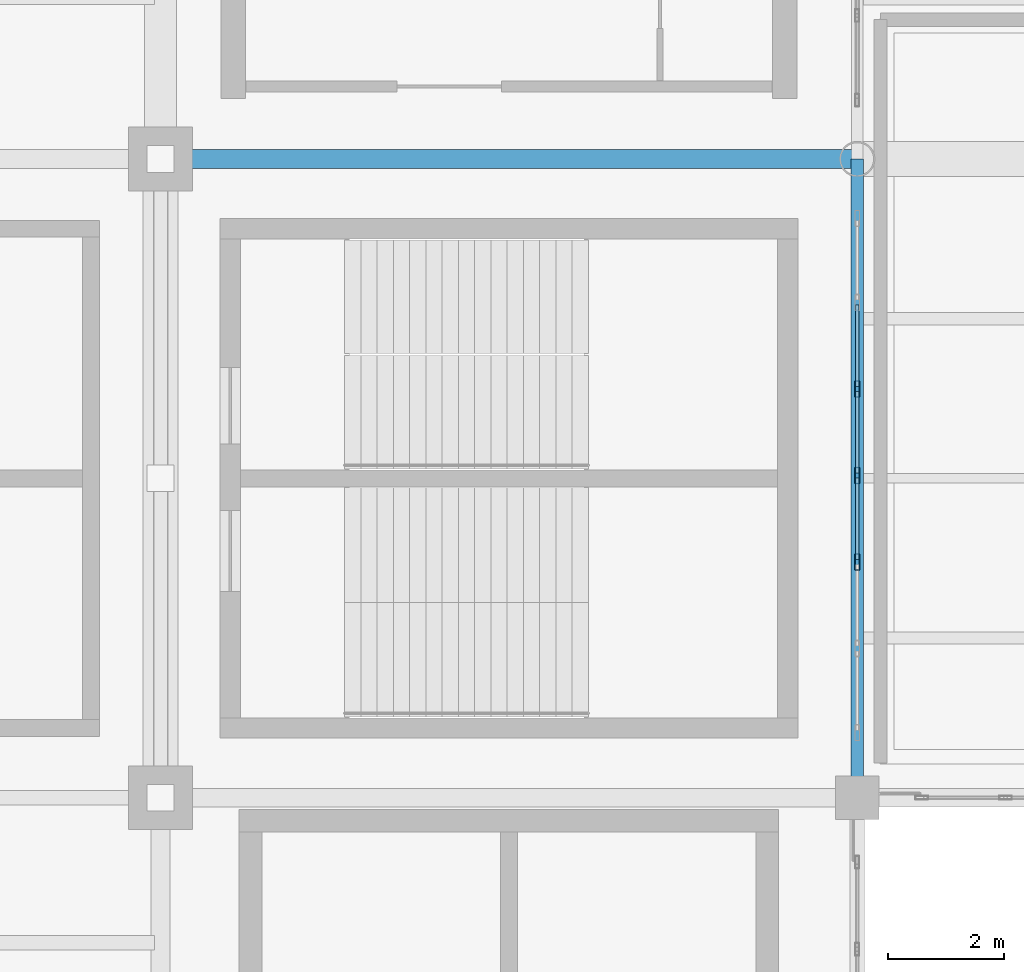
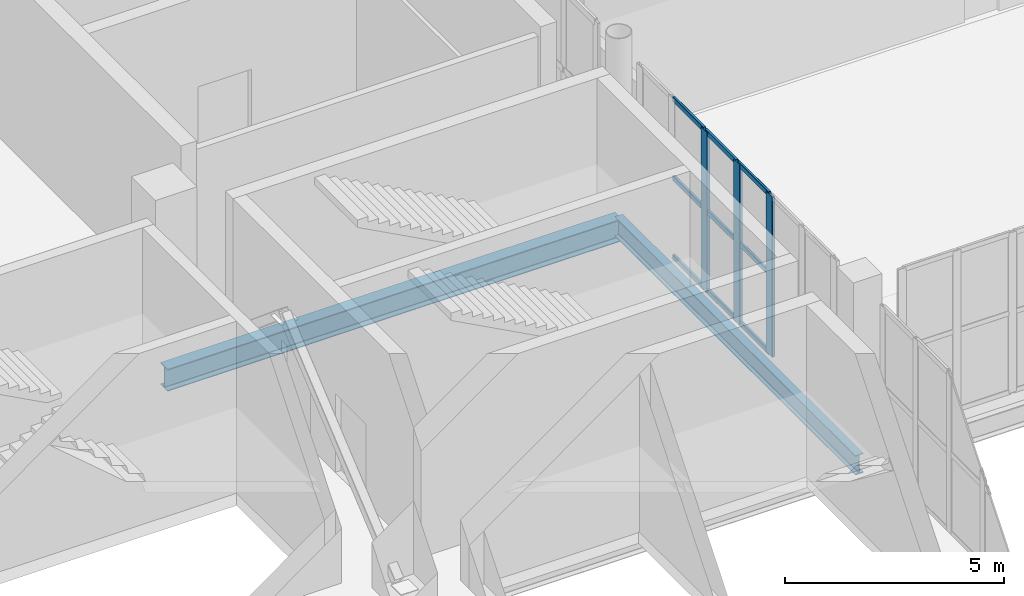
# One storey, part 62 of 136: 12 members, 2 beams, 1 element without a shape of its own.
"""IFC4 building model written with IfcOpenShell, lengths in metres."""

import ifcopenshell
import ifcopenshell.guid

model = None  # the IFC model being written
_history = None  # IfcOwnerHistory: only IFC2X3 demands one
_inside = {}  # id of a spatial element -> (the spatial element, [elements in it])
_under = {}  # id of a project, library or spatial element -> (it, [spatial elements below it])
_declared = {}  # id of a project -> (the project, [libraries it declares])
_typed = {}  # id of a type object -> (the type object, [elements of that type])
_made_of = {}  # id of a material, layer set ... -> (it, [elements and type objects made of it])


def new_model(schema):
    """Start an empty IFC model of exactly this schema.

    Asked for "IFC4X3", IfcOpenShell would pick the latest addendum, in which some entities
    have other attributes; the version numbers below select the first issue.
    IFC2X3 requires an IfcOwnerHistory on every rooted entity: one is made here for all.
    """
    global model, _history
    if schema == "IFC4X3":
        model = ifcopenshell.file(schema_version=(4, 3, 0, 0))
    else:
        model = ifcopenshell.file(schema=schema)
    _inside.clear()
    _under.clear()
    _declared.clear()
    _typed.clear()
    _made_of.clear()
    _history = None
    if model.schema == "IFC2X3":
        org = make("IfcOrganization", Name="unknown")
        user = make(
            "IfcPersonAndOrganization",
            ThePerson=make("IfcPerson", FamilyName="unknown"),
            TheOrganization=org,
        )
        app = make(
            "IfcApplication",
            ApplicationDeveloper=org,
            Version="unknown",
            ApplicationFullName="unknown",
            ApplicationIdentifier="unknown",
        )
        _history = make(
            "IfcOwnerHistory",
            OwningUser=user,
            OwningApplication=app,
            ChangeAction="ADDED",
            CreationDate=0,
        )
    return model


def make(cls, **values):
    """One entity of the class cls with the attributes given. An attribute that is None is left unset."""
    return model.create_entity(
        cls, **{name: value for name, value in values.items() if value is not None}
    )


def rooted(cls, **values):
    """An entity with a GlobalId (a new one), such as an element, a storey or a relation."""
    return make(cls, GlobalId=ifcopenshell.guid.new(), OwnerHistory=_history, **values)


def si_unit(unit_type, name, prefix=None):
    """IfcSIUnit, for example si_unit("LENGTHUNIT", "METRE", prefix="MILLI")."""
    return make("IfcSIUnit", UnitType=unit_type, Prefix=prefix, Name=name)


def assignment(units):
    """IfcUnitAssignment: the units of a project."""
    return None if units is None else make("IfcUnitAssignment", Units=units)


def point(xyz):
    """IfcCartesianPoint."""
    return None if xyz is None else make("IfcCartesianPoint", Coordinates=xyz)


def direction(xyz):
    """IfcDirection."""
    return None if xyz is None else make("IfcDirection", DirectionRatios=xyz)


def frame(location, z_axis=None, x_axis=None):
    """IfcAxis2Placement3D, a coordinate frame: its origin and axes. An axis left out is left unset."""
    return make(
        "IfcAxis2Placement3D",
        Location=point(location),
        Axis=direction(z_axis),
        RefDirection=direction(x_axis),
    )


def frame_2d(location, x_axis=None):
    """IfcAxis2Placement2D, a coordinate frame in the plane: its origin and x axis."""
    return make(
        "IfcAxis2Placement2D", Location=point(location), RefDirection=direction(x_axis)
    )


def origin():
    """The frame at (0, 0, 0) with its axes left unset."""
    return frame((0.0, 0.0, 0.0))


def origin_2d():
    """The frame at (0, 0) in the plane with its x axis left unset."""
    return frame_2d((0.0, 0.0))


def place(relative_to, where):
    """IfcLocalPlacement: puts the frame where relative to a parent placement (None: the world)."""
    return make(
        "IfcLocalPlacement", PlacementRelTo=relative_to, RelativePlacement=where
    )


def context(
    kind, dimensions, precision=None, world=None, true_north=None, identifier=None
):
    """IfcGeometricRepresentationContext, for example the 3D "Model" context."""
    return make(
        "IfcGeometricRepresentationContext",
        ContextIdentifier=identifier,
        ContextType=kind,
        CoordinateSpaceDimension=dimensions,
        Precision=precision,
        WorldCoordinateSystem=world,
        TrueNorth=true_north,
    )


def subcontext(parent, identifier, kind, view, scale=None):
    """IfcGeometricRepresentationSubContext, for example "Body" below "Model"."""
    return make(
        "IfcGeometricRepresentationSubContext",
        ContextIdentifier=identifier,
        ContextType=kind,
        ParentContext=parent,
        TargetScale=scale,
        TargetView=view,
    )


def project(units=None, contexts=None):
    """IfcProject with its units and contexts."""
    return rooted(
        "IfcProject",
        Name="project",
        RepresentationContexts=contexts,
        UnitsInContext=assignment(units),
    )


def spatial(cls, under=None, at=None, **own):
    """A site, building, storey or space (cls), placed at a placement, below another one or the project."""
    s = rooted(cls, ObjectPlacement=at, **own)
    if under is not None:
        _under.setdefault(under.id(), (under, []))[1].append(s)
    return s


def profile(cls, at=None, kind="AREA", **sizes):
    """A parametric profile (cls). Its sizes go by their IFC names, for example OverallWidth=200.0."""
    return make(cls, ProfileType=kind, Position=at, **sizes)


def hollow_rectangle(**sizes):
    """IfcRectangleHollowProfileDef."""
    return profile("IfcRectangleHollowProfileDef", **sizes)


def i_section(**sizes):
    """IfcIShapeProfileDef."""
    return profile("IfcIShapeProfileDef", **sizes)


def extrude(swept, where, along, depth):
    """IfcExtrudedAreaSolid: the profile swept, set in the frame where, extruded along a direction by depth."""
    return make(
        "IfcExtrudedAreaSolid",
        SweptArea=swept,
        Position=where,
        ExtrudedDirection=direction(along),
        Depth=depth,
    )


def shape(context_of_items, identifier, shape_type, items):
    """IfcShapeRepresentation: the items that make up one representation, for example the "Body"."""
    return make(
        "IfcShapeRepresentation",
        ContextOfItems=context_of_items,
        RepresentationIdentifier=identifier,
        RepresentationType=shape_type,
        Items=items,
    )


def material(Name=None, Category=None):
    """IfcMaterial."""
    return make("IfcMaterial", Name=Name, Category=Category)


def layer(
    of_material, thickness, ventilated=None, Name=None, Category=None, Priority=None
):
    """IfcMaterialLayer: one layer of a wall or slab, of a material (None: an air gap)."""
    return make(
        "IfcMaterialLayer",
        Material=of_material,
        LayerThickness=thickness,
        IsVentilated=ventilated,
        Name=Name,
        Category=Category,
        Priority=Priority,
    )


def layer_set(layers, Name=None):
    """IfcMaterialLayerSet."""
    return make("IfcMaterialLayerSet", MaterialLayers=layers, LayerSetName=Name)


def material_profile(
    of_material, cross_section, Name=None, Category=None, Priority=None
):
    """IfcMaterialProfile: a cross section and its material."""
    return make(
        "IfcMaterialProfile",
        Name=Name,
        Material=of_material,
        Profile=cross_section,
        Priority=Priority,
        Category=Category,
    )


def profile_set(profiles, Name=None, composite=None):
    """IfcMaterialProfileSet."""
    return make(
        "IfcMaterialProfileSet",
        Name=Name,
        MaterialProfiles=profiles,
        CompositeProfile=composite,
    )


def made_of(thing, what):
    """Note that an element or type object is made of a material, layer set ...; save() writes the relation."""
    if what is not None:
        _made_of.setdefault(what.id(), (what, []))[1].append(thing)
    return thing


def type_object(cls, material=None, **own):
    """A type object (cls), such as IfcWallType, which elements share."""
    return made_of(rooted(cls, **own), material)


def element(
    cls,
    number,
    at=None,
    inside=None,
    cuts=None,
    type_object=None,
    material=None,
    context=None,
    identifier="Body",
    shape_type=None,
    held_by="IfcProductDefinitionShape",
    body=None,
    shapes=None,
    **own,
):
    """One element of the class cls, such as IfcWall. Its Tag is "e" and its number.

    at: its placement. inside: the storey or other place that contains it. cuts: it is an
    opening in that element (IfcRelVoidsElement). A single representation is given by context,
    identifier, shape_type and body (its items); several are given by shapes. held_by: the class
    of the entity that holds the representations. save() writes the other relations.
    """
    e = rooted(cls, Tag="e%d" % number, ObjectPlacement=at, **own)
    if body is not None:
        shapes = [shape(context, identifier, shape_type, body)]
    if shapes is not None:
        e.Representation = make(held_by, Representations=shapes)
    if inside is not None:
        _inside.setdefault(inside.id(), (inside, []))[1].append(e)
    if cuts is not None:
        rooted(
            "IfcRelVoidsElement", RelatingBuildingElement=cuts, RelatedOpeningElement=e
        )
    if type_object is not None:
        _typed.setdefault(type_object.id(), (type_object, []))[1].append(e)
    return made_of(e, material)


def aggregate(whole, parts):
    """IfcRelAggregates: a whole, such as a stair, and the parts it consists of."""
    return rooted("IfcRelAggregates", RelatingObject=whole, RelatedObjects=parts)


def save(model, path):
    """Write the relations noted so far, then the file.

    IfcRelAggregates (storeys below a building ...), IfcRelContainedInSpatialStructure (elements
    in a storey), IfcRelDefinesByType, IfcRelAssociatesMaterial and IfcRelDeclares: one each for
    every whole, place, type object, material and project.
    """
    for whole, parts in _under.values():
        aggregate(whole, parts)
    for where, things in _inside.values():
        rooted(
            "IfcRelContainedInSpatialStructure",
            RelatedElements=things,
            RelatingStructure=where,
        )
    for kind, things in _typed.values():
        rooted("IfcRelDefinesByType", RelatedObjects=things, RelatingType=kind)
    for what, things in _made_of.values():
        rooted("IfcRelAssociatesMaterial", RelatedObjects=things, RelatingMaterial=what)
    for by, libraries in _declared.values():
        rooted("IfcRelDeclares", RelatingContext=by, RelatedDefinitions=libraries)
    model.write(path)


model = new_model("IFC4")

# Units and contexts
model_context = context("Model", 3, precision=1e-05, world=origin(), true_north=direction((0.0, 1.0)))
body_context = subcontext(model_context, "Body", "Model", "MODEL_VIEW")
ifc_project = project(units=[si_unit("LENGTHUNIT", "METRE"), si_unit("AREAUNIT", "SQUARE_METRE"), si_unit("VOLUMEUNIT", "CUBIC_METRE"), si_unit("PLANEANGLEUNIT", "RADIAN"), si_unit("MASSUNIT", "GRAM", prefix="KILO")], contexts=[model_context])

# Site, building, storey
site_placement = place(None, origin())
site = spatial("IfcSite", under=ifc_project, at=site_placement, CompositionType="ELEMENT")
building_placement = place(site_placement, origin())
building = spatial("IfcBuilding", under=site, at=building_placement, Name="Brinegate Civic Arena", CompositionType="ELEMENT")
storey_placement = place(building_placement, frame((0.0, 0.0, 5.39990234375)))
storey = spatial("IfcBuildingStorey", under=building, at=storey_placement, Name="L01", CompositionType="ELEMENT", Elevation=5.39990234375)

# Curtain wall, members
ifc_material_1 = material(Name="Marine grade aluminium", Category="aluminium")
ifc_layer = layer(ifc_material_1, 0.199951171875, Name="Marine grade aluminium")
ifc_layer_set = layer_set([ifc_layer], Name="Marine grade aluminium")
curtain_wall_type = type_object("IfcCurtainWallType", Name="CW-BOWL-GLAZED-01", PredefinedType="USERDEFINED", material=ifc_layer_set)
curtain_wall_placement = place(storey_placement, origin())
curtain_wall = element("IfcCurtainWall", 1, at=curtain_wall_placement, inside=storey, type_object=curtain_wall_type, Name="Curtain Wall CWA-045", ObjectType="GLAZED CURTAIN WALL", PredefinedType="USERDEFINED")
ifc_material_profile_1 = material_profile(ifc_material_1, hollow_rectangle(XDim=0.080078125, YDim=0.280029296875, WallThickness=0.007080078125, InnerFilletRadius=0.0048828125, OuterFilletRadius=0.010009765625, at=origin_2d()), Name="MUL80X280")
ifc_profile_set_1 = profile_set([ifc_material_profile_1], Name="Marine grade aluminium")
member_type_1 = type_object("IfcMemberType", Name="CW-MULLION-80X280", PredefinedType="MULLION", material=ifc_profile_set_1)
member_1_placement = place(storey_placement, frame((168.0, 24.0595703125, 0.0), z_axis=(0.0, 0.0, 1.0), x_axis=(-1.0, 0.0, 0.0)))
member_1 = element("IfcMember", 2, at=member_1_placement, type_object=member_type_1, Name="CWA-045 mullion 3", PredefinedType="MULLION", context=body_context, shape_type="SweptSolid", body=[
    extrude(hollow_rectangle(XDim=0.080078125, YDim=0.280029296875, WallThickness=0.007080078125, InnerFilletRadius=0.0048828125, OuterFilletRadius=0.010009765625, at=origin_2d()), origin(), (0.0, 0.0, 1.0), 4.47021484375),
])
member_2_placement = place(storey_placement, frame((168.0, 25.549560546875, 0.0), z_axis=(0.0, 0.0, 1.0), x_axis=(-1.0, 0.0, 0.0)))
member_2 = element("IfcMember", 3, at=member_2_placement, type_object=member_type_1, Name="CWA-045 mullion 4", PredefinedType="MULLION", context=body_context, shape_type="SweptSolid", body=[
    extrude(hollow_rectangle(XDim=0.080078125, YDim=0.280029296875, WallThickness=0.007080078125, InnerFilletRadius=0.0048828125, OuterFilletRadius=0.010009765625, at=origin_2d()), origin(), (0.0, 0.0, 1.0), 4.47021484375),
])
member_3_placement = place(storey_placement, frame((168.0, 27.039306640625, 0.0), z_axis=(0.0, 0.0, 1.0), x_axis=(-1.0, 0.0, 0.0)))
member_3 = element("IfcMember", 4, at=member_3_placement, type_object=member_type_1, Name="CWA-045 mullion 5", PredefinedType="MULLION", context=body_context, shape_type="SweptSolid", body=[
    extrude(hollow_rectangle(XDim=0.080078125, YDim=0.280029296875, WallThickness=0.007080078125, InnerFilletRadius=0.0048828125, OuterFilletRadius=0.010009765625, at=origin_2d()), origin(), (0.0, 0.0, 1.0), 4.47021484375),
])
ifc_material_profile_2 = material_profile(ifc_material_1, hollow_rectangle(XDim=0.06494140625, YDim=0.139892578125, WallThickness=0.0048828125, InnerFilletRadius=0.00390625, OuterFilletRadius=0.008056640625, at=origin_2d()), Name="TRN65X140")
ifc_profile_set_2 = profile_set([ifc_material_profile_2], Name="Marine grade aluminium")
member_type_2 = type_object("IfcMemberType", Name="CW-TRANSOM-65X140", PredefinedType="USERDEFINED", material=ifc_profile_set_2)
member_4_placement = place(storey_placement, frame((168.0, 24.099609375, 0.03271484375), z_axis=(0.0, 1.0, 0.0), x_axis=(-1.0, 0.0, 0.0)))
member_4 = element("IfcMember", 5, at=member_4_placement, type_object=member_type_2, Name="CWA-045 transom 3.1", ObjectType="TRANSOM", PredefinedType="USERDEFINED", context=body_context, shape_type="SweptSolid", body=[
    extrude(hollow_rectangle(XDim=0.06494140625, YDim=0.139892578125, WallThickness=0.0048828125, InnerFilletRadius=0.00390625, OuterFilletRadius=0.008056640625, at=origin_2d()), origin(), (0.0, 0.0, 1.0), 1.409912109375),
])
member_5_placement = place(storey_placement, frame((168.0, 24.099609375, 2.235107421875), z_axis=(0.0, 1.0, 0.0), x_axis=(-1.0, 0.0, 0.0)))
member_5 = element("IfcMember", 6, at=member_5_placement, type_object=member_type_2, Name="CWA-045 transom 3.2", ObjectType="TRANSOM", PredefinedType="USERDEFINED", context=body_context, shape_type="SweptSolid", body=[
    extrude(hollow_rectangle(XDim=0.06494140625, YDim=0.139892578125, WallThickness=0.0048828125, InnerFilletRadius=0.00390625, OuterFilletRadius=0.008056640625, at=origin_2d()), origin(), (0.0, 0.0, 1.0), 1.409912109375),
])
member_6_placement = place(storey_placement, frame((168.0, 24.099609375, 4.4375), z_axis=(0.0, 1.0, 0.0), x_axis=(-1.0, 0.0, 0.0)))
member_6 = element("IfcMember", 7, at=member_6_placement, type_object=member_type_2, Name="CWA-045 transom 3.3", ObjectType="TRANSOM", PredefinedType="USERDEFINED", context=body_context, shape_type="SweptSolid", body=[
    extrude(hollow_rectangle(XDim=0.06494140625, YDim=0.139892578125, WallThickness=0.0048828125, InnerFilletRadius=0.00390625, OuterFilletRadius=0.008056640625, at=origin_2d()), origin(), (0.0, 0.0, 1.0), 1.409912109375),
])
member_7_placement = place(storey_placement, frame((168.0, 25.589599609375, 0.03271484375), z_axis=(0.0, 1.0, 0.0), x_axis=(-1.0, 0.0, 0.0)))
member_7 = element("IfcMember", 8, at=member_7_placement, type_object=member_type_2, Name="CWA-045 transom 4.1", ObjectType="TRANSOM", PredefinedType="USERDEFINED", context=body_context, shape_type="SweptSolid", body=[
    extrude(hollow_rectangle(XDim=0.06494140625, YDim=0.139892578125, WallThickness=0.0048828125, InnerFilletRadius=0.00390625, OuterFilletRadius=0.008056640625, at=origin_2d()), origin(), (0.0, 0.0, 1.0), 1.40966796875),
])
member_8_placement = place(storey_placement, frame((168.0, 25.589599609375, 2.235107421875), z_axis=(0.0, 1.0, 0.0), x_axis=(-1.0, 0.0, 0.0)))
member_8 = element("IfcMember", 9, at=member_8_placement, type_object=member_type_2, Name="CWA-045 transom 4.2", ObjectType="TRANSOM", PredefinedType="USERDEFINED", context=body_context, shape_type="SweptSolid", body=[
    extrude(hollow_rectangle(XDim=0.06494140625, YDim=0.139892578125, WallThickness=0.0048828125, InnerFilletRadius=0.00390625, OuterFilletRadius=0.008056640625, at=origin_2d()), origin(), (0.0, 0.0, 1.0), 1.40966796875),
])
member_9_placement = place(storey_placement, frame((168.0, 25.589599609375, 4.4375), z_axis=(0.0, 1.0, 0.0), x_axis=(-1.0, 0.0, 0.0)))
member_9 = element("IfcMember", 10, at=member_9_placement, type_object=member_type_2, Name="CWA-045 transom 4.3", ObjectType="TRANSOM", PredefinedType="USERDEFINED", context=body_context, shape_type="SweptSolid", body=[
    extrude(hollow_rectangle(XDim=0.06494140625, YDim=0.139892578125, WallThickness=0.0048828125, InnerFilletRadius=0.00390625, OuterFilletRadius=0.008056640625, at=origin_2d()), origin(), (0.0, 0.0, 1.0), 1.40966796875),
])
member_10_placement = place(storey_placement, frame((168.0, 27.079345703125, 0.03271484375), z_axis=(0.0, 1.0, 0.0), x_axis=(-1.0, 0.0, 0.0)))
member_10 = element("IfcMember", 11, at=member_10_placement, type_object=member_type_2, Name="CWA-045 transom 5.1", ObjectType="TRANSOM", PredefinedType="USERDEFINED", context=body_context, shape_type="SweptSolid", body=[
    extrude(hollow_rectangle(XDim=0.06494140625, YDim=0.139892578125, WallThickness=0.0048828125, InnerFilletRadius=0.00390625, OuterFilletRadius=0.008056640625, at=origin_2d()), origin(), (0.0, 0.0, 1.0), 1.409912109375),
])
member_11_placement = place(storey_placement, frame((168.0, 27.079345703125, 2.235107421875), z_axis=(0.0, 1.0, 0.0), x_axis=(-1.0, 0.0, 0.0)))
member_11 = element("IfcMember", 12, at=member_11_placement, type_object=member_type_2, Name="CWA-045 transom 5.2", ObjectType="TRANSOM", PredefinedType="USERDEFINED", context=body_context, shape_type="SweptSolid", body=[
    extrude(hollow_rectangle(XDim=0.06494140625, YDim=0.139892578125, WallThickness=0.0048828125, InnerFilletRadius=0.00390625, OuterFilletRadius=0.008056640625, at=origin_2d()), origin(), (0.0, 0.0, 1.0), 1.409912109375),
])
member_12_placement = place(storey_placement, frame((168.0, 27.079345703125, 4.4375), z_axis=(0.0, 1.0, 0.0), x_axis=(-1.0, 0.0, 0.0)))
member_12 = element("IfcMember", 13, at=member_12_placement, type_object=member_type_2, Name="CWA-045 transom 5.3", ObjectType="TRANSOM", PredefinedType="USERDEFINED", context=body_context, shape_type="SweptSolid", body=[
    extrude(hollow_rectangle(XDim=0.06494140625, YDim=0.139892578125, WallThickness=0.0048828125, InnerFilletRadius=0.00390625, OuterFilletRadius=0.008056640625, at=origin_2d()), origin(), (0.0, 0.0, 1.0), 1.409912109375),
])
aggregate(curtain_wall, [member_1, member_2, member_3, member_4, member_5, member_6, member_7, member_8, member_9, member_10, member_11, member_12])

# Beams
ifc_material_2 = material(Name="Steel S355", Category="steel")
ifc_material_profile_3 = material_profile(ifc_material_2, i_section(OverallWidth=0.324951171875, OverallDepth=0.615966796875, WebThickness=0.013916015625, FlangeThickness=0.02197265625, FilletRadius=0.01611328125, at=origin_2d()), Name="W610X174")
ifc_profile_set_3 = profile_set([ifc_material_profile_3], Name="Steel S355")
beam_type_1 = type_object("IfcBeamType", Name="GIRDER-W610X174", PredefinedType="BEAM", material=ifc_profile_set_3)
beam_1_placement = place(storey_placement, frame((156.0, 31.0, -0.64794921875), z_axis=(1.0, 0.0, 0.0), x_axis=(0.0, 1.0, 0.0)))
element("IfcBeam", 14, at=beam_1_placement, inside=storey, type_object=beam_type_1, Name="Floor Girder BM-L01-GX-13-03", PredefinedType="BEAM", context=body_context, shape_type="SweptSolid", body=[
    extrude(i_section(OverallWidth=0.324951171875, OverallDepth=0.615966796875, WebThickness=0.013916015625, FlangeThickness=0.02197265625, FilletRadius=0.01611328125, at=origin_2d()), origin(), (0.0, 0.0, 1.0), 12.0),
])
ifc_material_profile_4 = material_profile(ifc_material_2, i_section(OverallWidth=0.2119140625, OverallDepth=0.5439453125, WebThickness=0.012939453125, FlangeThickness=0.02099609375, FilletRadius=0.01611328125, at=origin_2d()), Name="W530X123")
ifc_profile_set_4 = profile_set([ifc_material_profile_4], Name="Steel S355")
beam_type_2 = type_object("IfcBeamType", Name="SPANDREL-W530X123", PredefinedType="SPANDREL", material=ifc_profile_set_4)
beam_2_placement = place(storey_placement, frame((168.0, 20.0, -0.61181640625), z_axis=(0.0, 1.0, 0.0), x_axis=(-1.0, 0.0, 0.0)))
element("IfcBeam", 15, at=beam_2_placement, inside=storey, type_object=beam_type_2, Name="Floor Girder BM-L01-GY-14-02", PredefinedType="SPANDREL", context=body_context, shape_type="SweptSolid", body=[
    extrude(i_section(OverallWidth=0.2119140625, OverallDepth=0.5439453125, WebThickness=0.012939453125, FlangeThickness=0.02099609375, FilletRadius=0.01611328125, at=origin_2d()), origin(), (0.0, 0.0, 1.0), 11.0),
])

save(model, "model.ifc")
